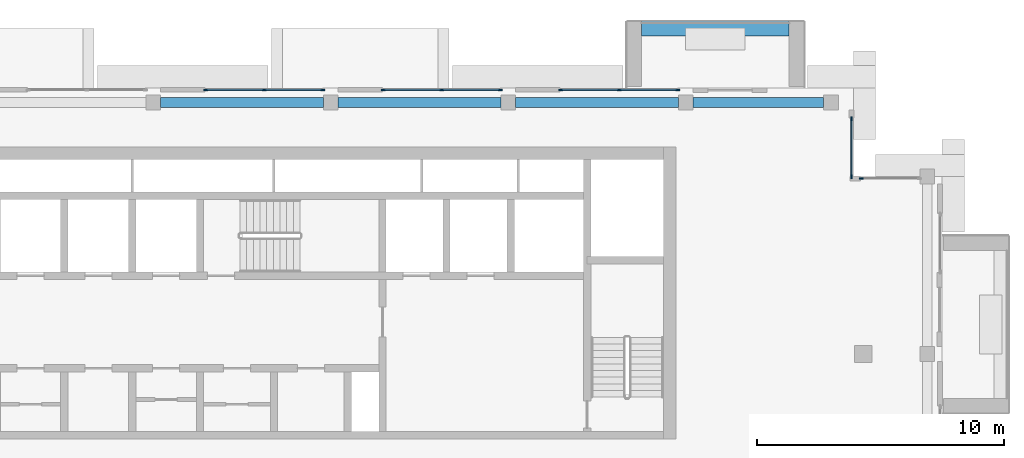
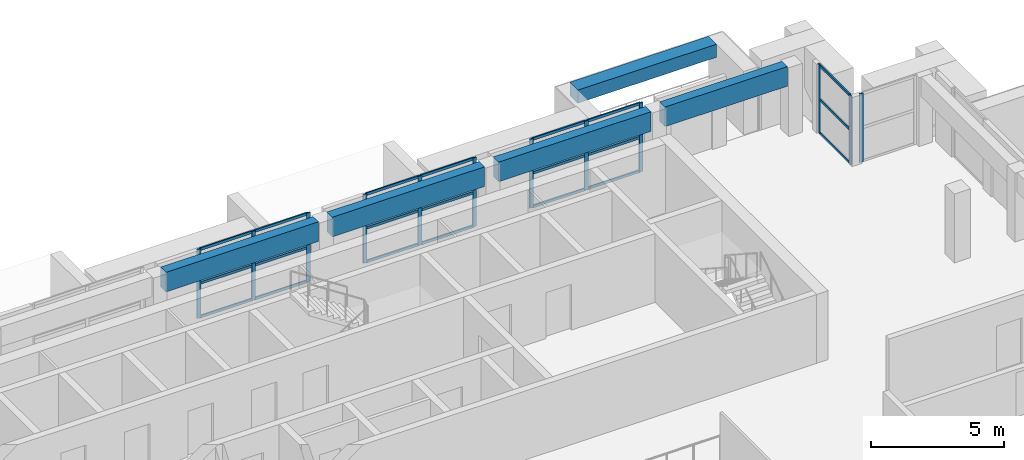
# One storey, part 7 of 22: 33 members, 5 beams, 5 elements without a shape of their own.
"""IFC4 building model written with IfcOpenShell, lengths in metres."""

from ifc_helpers import new_model, si_unit, direction, frame, origin, origin_2d, place, context, subcontext, project, spatial, rectangle, extrude, source, transform, mapped, material, layer, layer_set, material_profile, profile_set, type_object, element, aggregate, save


model = new_model("IFC4")

# Units and contexts
model_context = context("Model", 3, precision=1e-05, world=origin(), true_north=direction((0.0, 1.0)))
body_context = subcontext(model_context, "Body", "Model", "MODEL_VIEW")
ifc_project = project(units=[si_unit("LENGTHUNIT", "METRE"), si_unit("AREAUNIT", "SQUARE_METRE"), si_unit("VOLUMEUNIT", "CUBIC_METRE"), si_unit("PLANEANGLEUNIT", "RADIAN"), si_unit("MASSUNIT", "GRAM", prefix="KILO")], contexts=[model_context])

# Site, building, storey
site_placement = place(None, origin())
site = spatial("IfcSite", under=ifc_project, at=site_placement, CompositionType="ELEMENT")
building_placement = place(site_placement, origin())
building = spatial("IfcBuilding", under=site, at=building_placement, Name="Saffron Iwan Residences", CompositionType="ELEMENT")
storey_placement = place(building_placement, frame((0.0, 0.0, 271.0)))
storey = spatial("IfcBuildingStorey", under=building, at=storey_placement, Name="L73", CompositionType="ELEMENT", Elevation=271.0)

# Beams
ifc_material_1 = material(Name="Concrete C40/50", Category="concrete")
ifc_material_profile_1 = material_profile(ifc_material_1, rectangle(XDim=0.39990234375, YDim=0.89990234375, at=origin_2d()), Name="RC 400x900")
ifc_profile_set_1 = profile_set([ifc_material_profile_1], Name="Concrete C40/50")
beam_type_1 = type_object("IfcBeamType", Name="SPANDREL BEAM RC 400x900 C40/50 TOP 3150", PredefinedType="SPANDREL", material=ifc_profile_set_1)
shared_shape_1 = source(origin(), body_context, "Body", "SweptSolid", [
    extrude(rectangle(XDim=0.39990234375, YDim=0.89990234375, at=origin_2d()), origin(), (0.0, 0.0, 1.0), 6.599853515625),
])
beam_1_placement = place(storey_placement, frame((65.10009765625, 79.800048828125, 2.699951171875), z_axis=(1.0, 0.0, 0.0), x_axis=(0.0, 1.0, 0.0)))
element("IfcBeam", 1, at=beam_1_placement, inside=storey, type_object=beam_type_1, Name="Spandrel beam", PredefinedType="SPANDREL", context=body_context, shape_type="MappedRepresentation", body=[
    mapped(shared_shape_1, transform((0.0, 0.0, 0.0))),
])
shared_shape_2 = source(origin(), body_context, "Body", "SweptSolid", [
    extrude(rectangle(XDim=0.39990234375, YDim=0.89990234375, at=origin_2d()), origin(), (0.0, 0.0, 1.0), 6.60009765625),
])
for number, where, z_axis, x_axis, name in (
    (2, (50.699951171875, 79.800048828125, 2.699951171875), (1.0, 0.0, 0.0), (0.0, 1.0, 0.0), "Spandrel beam"),
    (3, (57.89990234375, 79.800048828125, 2.699951171875), (1.0, 0.0, 0.0), (0.0, 1.0, 0.0), "Spandrel beam"),
):
    element("IfcBeam", number, at=place(storey_placement, frame(where, z_axis=z_axis, x_axis=x_axis)), inside=storey, type_object=beam_type_1, Name=name, PredefinedType="SPANDREL", context=body_context, shape_type="MappedRepresentation", body=[
        mapped(shared_shape_2, transform((0.0, 0.0, 0.0))),
    ])
shared_shape_3 = source(origin(), body_context, "Body", "SweptSolid", [
    extrude(rectangle(XDim=0.39990234375, YDim=0.89990234375, at=origin_2d()), origin(), (0.0, 0.0, 1.0), 5.300048828125),
])
beam_2_placement = place(storey_placement, frame((72.300048828125, 79.800048828125, 2.699951171875), z_axis=(1.0, 0.0, 0.0), x_axis=(0.0, 1.0, 0.0)))
element("IfcBeam", 4, at=beam_2_placement, inside=storey, type_object=beam_type_1, Name="Spandrel beam", PredefinedType="SPANDREL", context=body_context, shape_type="MappedRepresentation", body=[
    mapped(shared_shape_3, transform((0.0, 0.0, 0.0))),
])
ifc_material_2 = material(Name="Concrete C50/60 white painted", Category="concrete")
ifc_material_profile_2 = material_profile(ifc_material_2, rectangle(XDim=0.60009765625, YDim=0.60009765625, at=origin_2d()), Name="BALCONY FASCIA BEAM 600 x 600")
ifc_profile_set_2 = profile_set([ifc_material_profile_2], Name="Concrete C50/60 white painted")
beam_type_2 = type_object("IfcBeamType", Name="BALCONY FASCIA BEAM 600 x 600", PredefinedType="BEAM", material=ifc_profile_set_2)
shared_shape_4 = source(origin(), body_context, "Body", "SweptSolid", [
    extrude(rectangle(XDim=0.60009765625, YDim=0.60009765625, at=origin_2d()), origin(), (0.0, 0.0, 1.0), 6.0),
])
beam_3_placement = place(storey_placement, frame((76.199951171875, 82.800048828125, 2.60107421875), z_axis=(-1.0, 0.0, 0.0), x_axis=(0.0, -1.0, 0.0)))
element("IfcBeam", 5, at=beam_3_placement, inside=storey, type_object=beam_type_2, Name="Balcony fascia beam L73 F5-0", PredefinedType="BEAM", context=body_context, shape_type="MappedRepresentation", body=[
    mapped(shared_shape_4, transform((0.0, 0.0, 0.0))),
])

# Curtain wall, member
ifc_material_3 = material(Name="Clear glass, laminated double glazed", Category="glass")
ifc_layer = layer(ifc_material_3, 0.14990234375)
ifc_layer_set = layer_set([ifc_layer], Name="Clear glass, laminated double glazed")
curtain_wall_type = type_object("IfcCurtainWallType", Name="CW-E SKY CLUB GLAZING", PredefinedType="NOTDEFINED", material=ifc_layer_set)
curtain_wall_1_placement = place(storey_placement, origin())
curtain_wall_1 = element("IfcCurtainWall", 6, at=curtain_wall_1_placement, inside=storey, type_object=curtain_wall_type, Name="Glazing L73 F3.0", PredefinedType="NOTDEFINED")
ifc_material_4 = material(Name="Aluminium 6063-T6", Category="aluminium")
ifc_material_profile_3 = material_profile(ifc_material_4, rectangle(XDim=0.06005859375, YDim=0.159912109375, at=origin_2d()), Name="CW-E MULLION 60 x 160")
ifc_profile_set_3 = profile_set([ifc_material_profile_3], Name="Aluminium 6063-T6")
member_type_1 = type_object("IfcMemberType", Name="CW-E MULLION 60 x 160", PredefinedType="MULLION", material=ifc_profile_set_3)
shared_shape_5 = source(origin(), body_context, "Body", "SweptSolid", [
    extrude(rectangle(XDim=0.06005859375, YDim=0.159912109375, at=origin_2d()), origin(), (0.0, 0.0, 1.0), 3.14990234375),
])
member_1_placement = place(storey_placement, frame((79.1298828125, 76.719970703125, 0.0), z_axis=(0.0, 0.0, 1.0), x_axis=(0.0, -1.0, 0.0)))
member_1 = element("IfcMember", 7, at=member_1_placement, type_object=member_type_1, Name="CW-E mullion 2", PredefinedType="MULLION", context=body_context, shape_type="MappedRepresentation", body=[
    mapped(shared_shape_5, transform((0.0, 0.0, 0.0))),
])
aggregate(curtain_wall_1, [member_1])

# Curtain wall, members
curtain_wall_2_placement = place(storey_placement, origin())
curtain_wall_2 = element("IfcCurtainWall", 8, at=curtain_wall_2_placement, inside=storey, type_object=curtain_wall_type, Name="Glazing L73 F4.0", PredefinedType="NOTDEFINED")
member_2_placement = place(storey_placement, frame((78.719970703125, 76.800048828125, 0.0), z_axis=(0.0, 0.0, 1.0), x_axis=(-1.0, 0.0, 0.0)))
member_2 = element("IfcMember", 9, at=member_2_placement, type_object=member_type_1, Name="CW-E mullion 1", PredefinedType="MULLION", context=body_context, shape_type="MappedRepresentation", body=[
    mapped(shared_shape_5, transform((0.0, 0.0, 0.0))),
])
member_3_placement = place(storey_placement, frame((78.719970703125, 79.139892578125, 0.0), z_axis=(0.0, 0.0, 1.0), x_axis=(-1.0, 0.0, 0.0)))
member_3 = element("IfcMember", 10, at=member_3_placement, type_object=member_type_1, Name="CW-E mullion 2", PredefinedType="MULLION", context=body_context, shape_type="MappedRepresentation", body=[
    mapped(shared_shape_5, transform((0.0, 0.0, 0.0))),
])

curtain_wall_3_placement = place(storey_placement, origin())
curtain_wall_3 = element("IfcCurtainWall", 11, at=curtain_wall_3_placement, inside=storey, type_object=curtain_wall_type, Name="Glazing L73 F5.1", PredefinedType="NOTDEFINED")
member_4_placement = place(storey_placement, frame((71.669921875, 80.320068359375, 0.0), z_axis=(0.0, 0.0, 1.0), x_axis=(0.0, -1.0, 0.0)))
member_4 = element("IfcMember", 12, at=member_4_placement, type_object=member_type_1, Name="CW-E mullion 1", PredefinedType="MULLION", context=body_context, shape_type="MappedRepresentation", body=[
    mapped(shared_shape_5, transform((0.0, 0.0, 0.0))),
])
member_5_placement = place(storey_placement, frame((69.300048828125, 80.320068359375, 0.0), z_axis=(0.0, 0.0, 1.0), x_axis=(0.0, -1.0, 0.0)))
member_5 = element("IfcMember", 13, at=member_5_placement, type_object=member_type_1, Name="CW-E mullion 2", PredefinedType="MULLION", context=body_context, shape_type="MappedRepresentation", body=[
    mapped(shared_shape_5, transform((0.0, 0.0, 0.0))),
])
member_6_placement = place(storey_placement, frame((66.929931640625, 80.320068359375, 0.0), z_axis=(0.0, 0.0, 1.0), x_axis=(0.0, -1.0, 0.0)))
member_6 = element("IfcMember", 14, at=member_6_placement, type_object=member_type_1, Name="CW-E mullion 3", PredefinedType="MULLION", context=body_context, shape_type="MappedRepresentation", body=[
    mapped(shared_shape_5, transform((0.0, 0.0, 0.0))),
])

curtain_wall_4_placement = place(storey_placement, origin())
curtain_wall_4 = element("IfcCurtainWall", 15, at=curtain_wall_4_placement, inside=storey, type_object=curtain_wall_type, Name="Glazing L73 F5.2", PredefinedType="NOTDEFINED")
member_7_placement = place(storey_placement, frame((64.469970703125, 80.320068359375, 0.0), z_axis=(0.0, 0.0, 1.0), x_axis=(0.0, -1.0, 0.0)))
member_7 = element("IfcMember", 16, at=member_7_placement, type_object=member_type_1, Name="CW-E mullion 1", PredefinedType="MULLION", context=body_context, shape_type="MappedRepresentation", body=[
    mapped(shared_shape_5, transform((0.0, 0.0, 0.0))),
])
member_8_placement = place(storey_placement, frame((62.10009765625, 80.320068359375, 0.0), z_axis=(0.0, 0.0, 1.0), x_axis=(0.0, -1.0, 0.0)))
member_8 = element("IfcMember", 17, at=member_8_placement, type_object=member_type_1, Name="CW-E mullion 2", PredefinedType="MULLION", context=body_context, shape_type="MappedRepresentation", body=[
    mapped(shared_shape_5, transform((0.0, 0.0, 0.0))),
])
member_9_placement = place(storey_placement, frame((59.72998046875, 80.320068359375, 0.0), z_axis=(0.0, 0.0, 1.0), x_axis=(0.0, -1.0, 0.0)))
member_9 = element("IfcMember", 18, at=member_9_placement, type_object=member_type_1, Name="CW-E mullion 3", PredefinedType="MULLION", context=body_context, shape_type="MappedRepresentation", body=[
    mapped(shared_shape_5, transform((0.0, 0.0, 0.0))),
])

curtain_wall_5_placement = place(storey_placement, origin())
curtain_wall_5 = element("IfcCurtainWall", 19, at=curtain_wall_5_placement, inside=storey, type_object=curtain_wall_type, Name="Glazing L73 F5.3", PredefinedType="NOTDEFINED")
member_10_placement = place(storey_placement, frame((57.27001953125, 80.320068359375, 0.0), z_axis=(0.0, 0.0, 1.0), x_axis=(0.0, -1.0, 0.0)))
member_10 = element("IfcMember", 20, at=member_10_placement, type_object=member_type_1, Name="CW-E mullion 1", PredefinedType="MULLION", context=body_context, shape_type="MappedRepresentation", body=[
    mapped(shared_shape_5, transform((0.0, 0.0, 0.0))),
])
member_11_placement = place(storey_placement, frame((54.89990234375, 80.320068359375, 0.0), z_axis=(0.0, 0.0, 1.0), x_axis=(0.0, -1.0, 0.0)))
member_11 = element("IfcMember", 21, at=member_11_placement, type_object=member_type_1, Name="CW-E mullion 2", PredefinedType="MULLION", context=body_context, shape_type="MappedRepresentation", body=[
    mapped(shared_shape_5, transform((0.0, 0.0, 0.0))),
])
member_12_placement = place(storey_placement, frame((52.530029296875, 80.320068359375, 0.0), z_axis=(0.0, 0.0, 1.0), x_axis=(0.0, -1.0, 0.0)))
member_12 = element("IfcMember", 22, at=member_12_placement, type_object=member_type_1, Name="CW-E mullion 3", PredefinedType="MULLION", context=body_context, shape_type="MappedRepresentation", body=[
    mapped(shared_shape_5, transform((0.0, 0.0, 0.0))),
])

# Member
ifc_material_profile_4 = material_profile(ifc_material_4, rectangle(XDim=0.06005859375, YDim=0.1201171875, at=origin_2d()), Name="CW-E TRANSOM 60 x 120")
ifc_profile_set_4 = profile_set([ifc_material_profile_4], Name="Aluminium 6063-T6")
member_type_2 = type_object("IfcMemberType", Name="CW-E TRANSOM 60 x 120", PredefinedType="USERDEFINED", material=ifc_profile_set_4)
shared_shape_6 = source(origin(), body_context, "Body", "SweptSolid", [
    extrude(rectangle(XDim=0.06005859375, YDim=0.1201171875, at=origin_2d()), origin(), (0.0, 0.0, 1.0), 2.280029296875),
])
member_13_placement = place(storey_placement, frame((78.719970703125, 76.830078125, 0.030029296875), z_axis=(0.0, 1.0, 0.0), x_axis=(-1.0, 0.0, 0.0)))
member_13 = element("IfcMember", 23, at=member_13_placement, type_object=member_type_2, Name="CW-E transom 1.1", ObjectType="TRANSOM", PredefinedType="USERDEFINED", context=body_context, shape_type="MappedRepresentation", body=[
    mapped(shared_shape_6, transform((0.0, 0.0, 0.0))),
])

member_14_placement = place(storey_placement, frame((78.719970703125, 76.830078125, 1.574951171875), z_axis=(0.0, 1.0, 0.0), x_axis=(-1.0, 0.0, 0.0)))
member_14 = element("IfcMember", 24, at=member_14_placement, type_object=member_type_2, Name="CW-E transom 1.2", ObjectType="TRANSOM", PredefinedType="USERDEFINED", context=body_context, shape_type="MappedRepresentation", body=[
    mapped(shared_shape_6, transform((0.0, 0.0, 0.0))),
])

member_15_placement = place(storey_placement, frame((78.719970703125, 76.830078125, 3.1201171875), z_axis=(0.0, 1.0, 0.0), x_axis=(-1.0, 0.0, 0.0)))
member_15 = element("IfcMember", 25, at=member_15_placement, type_object=member_type_2, Name="CW-E transom 1.3", ObjectType="TRANSOM", PredefinedType="USERDEFINED", context=body_context, shape_type="MappedRepresentation", body=[
    mapped(shared_shape_6, transform((0.0, 0.0, 0.0))),
])

aggregate(curtain_wall_2, [member_2, member_3, member_13, member_14, member_15])

shared_shape_7 = source(origin(), body_context, "Body", "SweptSolid", [
    extrude(rectangle(XDim=0.06005859375, YDim=0.1201171875, at=origin_2d()), origin(), (0.0, 0.0, 1.0), 2.31005859375),
])
member_16_placement = place(storey_placement, frame((69.27001953125, 80.320068359375, 0.030029296875), z_axis=(-1.0, 0.0, 0.0), x_axis=(0.0, -1.0, 0.0)))
member_16 = element("IfcMember", 26, at=member_16_placement, type_object=member_type_2, Name="CW-E transom 2.1", ObjectType="TRANSOM", PredefinedType="USERDEFINED", context=body_context, shape_type="MappedRepresentation", body=[
    mapped(shared_shape_7, transform((0.0, 0.0, 0.0))),
])

member_17_placement = place(storey_placement, frame((69.27001953125, 80.320068359375, 1.574951171875), z_axis=(-1.0, 0.0, 0.0), x_axis=(0.0, -1.0, 0.0)))
member_17 = element("IfcMember", 27, at=member_17_placement, type_object=member_type_2, Name="CW-E transom 2.2", ObjectType="TRANSOM", PredefinedType="USERDEFINED", context=body_context, shape_type="MappedRepresentation", body=[
    mapped(shared_shape_7, transform((0.0, 0.0, 0.0))),
])

member_18_placement = place(storey_placement, frame((69.27001953125, 80.320068359375, 3.1201171875), z_axis=(-1.0, 0.0, 0.0), x_axis=(0.0, -1.0, 0.0)))
member_18 = element("IfcMember", 28, at=member_18_placement, type_object=member_type_2, Name="CW-E transom 2.3", ObjectType="TRANSOM", PredefinedType="USERDEFINED", context=body_context, shape_type="MappedRepresentation", body=[
    mapped(shared_shape_7, transform((0.0, 0.0, 0.0))),
])

member_19_placement = place(storey_placement, frame((64.43994140625, 80.320068359375, 0.030029296875), z_axis=(-1.0, 0.0, 0.0), x_axis=(0.0, -1.0, 0.0)))
member_19 = element("IfcMember", 29, at=member_19_placement, type_object=member_type_2, Name="CW-E transom 1.1", ObjectType="TRANSOM", PredefinedType="USERDEFINED", context=body_context, shape_type="MappedRepresentation", body=[
    mapped(shared_shape_7, transform((0.0, 0.0, 0.0))),
])

member_20_placement = place(storey_placement, frame((64.43994140625, 80.320068359375, 1.574951171875), z_axis=(-1.0, 0.0, 0.0), x_axis=(0.0, -1.0, 0.0)))
member_20 = element("IfcMember", 30, at=member_20_placement, type_object=member_type_2, Name="CW-E transom 1.2", ObjectType="TRANSOM", PredefinedType="USERDEFINED", context=body_context, shape_type="MappedRepresentation", body=[
    mapped(shared_shape_7, transform((0.0, 0.0, 0.0))),
])

member_21_placement = place(storey_placement, frame((64.43994140625, 80.320068359375, 3.1201171875), z_axis=(-1.0, 0.0, 0.0), x_axis=(0.0, -1.0, 0.0)))
member_21 = element("IfcMember", 31, at=member_21_placement, type_object=member_type_2, Name="CW-E transom 1.3", ObjectType="TRANSOM", PredefinedType="USERDEFINED", context=body_context, shape_type="MappedRepresentation", body=[
    mapped(shared_shape_7, transform((0.0, 0.0, 0.0))),
])

member_22_placement = place(storey_placement, frame((62.070068359375, 80.320068359375, 0.030029296875), z_axis=(-1.0, 0.0, 0.0), x_axis=(0.0, -1.0, 0.0)))
member_22 = element("IfcMember", 32, at=member_22_placement, type_object=member_type_2, Name="CW-E transom 2.1", ObjectType="TRANSOM", PredefinedType="USERDEFINED", context=body_context, shape_type="MappedRepresentation", body=[
    mapped(shared_shape_7, transform((0.0, 0.0, 0.0))),
])

member_23_placement = place(storey_placement, frame((62.070068359375, 80.320068359375, 1.574951171875), z_axis=(-1.0, 0.0, 0.0), x_axis=(0.0, -1.0, 0.0)))
member_23 = element("IfcMember", 33, at=member_23_placement, type_object=member_type_2, Name="CW-E transom 2.2", ObjectType="TRANSOM", PredefinedType="USERDEFINED", context=body_context, shape_type="MappedRepresentation", body=[
    mapped(shared_shape_7, transform((0.0, 0.0, 0.0))),
])

member_24_placement = place(storey_placement, frame((62.070068359375, 80.320068359375, 3.1201171875), z_axis=(-1.0, 0.0, 0.0), x_axis=(0.0, -1.0, 0.0)))
member_24 = element("IfcMember", 34, at=member_24_placement, type_object=member_type_2, Name="CW-E transom 2.3", ObjectType="TRANSOM", PredefinedType="USERDEFINED", context=body_context, shape_type="MappedRepresentation", body=[
    mapped(shared_shape_7, transform((0.0, 0.0, 0.0))),
])

aggregate(curtain_wall_4, [member_7, member_8, member_9, member_19, member_20, member_21, member_22, member_23, member_24])

member_25_placement = place(storey_placement, frame((57.239990234375, 80.320068359375, 0.030029296875), z_axis=(-1.0, 0.0, 0.0), x_axis=(0.0, -1.0, 0.0)))
member_25 = element("IfcMember", 35, at=member_25_placement, type_object=member_type_2, Name="CW-E transom 1.1", ObjectType="TRANSOM", PredefinedType="USERDEFINED", context=body_context, shape_type="MappedRepresentation", body=[
    mapped(shared_shape_7, transform((0.0, 0.0, 0.0))),
])

member_26_placement = place(storey_placement, frame((57.239990234375, 80.320068359375, 1.574951171875), z_axis=(-1.0, 0.0, 0.0), x_axis=(0.0, -1.0, 0.0)))
member_26 = element("IfcMember", 36, at=member_26_placement, type_object=member_type_2, Name="CW-E transom 1.2", ObjectType="TRANSOM", PredefinedType="USERDEFINED", context=body_context, shape_type="MappedRepresentation", body=[
    mapped(shared_shape_7, transform((0.0, 0.0, 0.0))),
])

member_27_placement = place(storey_placement, frame((57.239990234375, 80.320068359375, 3.1201171875), z_axis=(-1.0, 0.0, 0.0), x_axis=(0.0, -1.0, 0.0)))
member_27 = element("IfcMember", 37, at=member_27_placement, type_object=member_type_2, Name="CW-E transom 1.3", ObjectType="TRANSOM", PredefinedType="USERDEFINED", context=body_context, shape_type="MappedRepresentation", body=[
    mapped(shared_shape_7, transform((0.0, 0.0, 0.0))),
])

member_28_placement = place(storey_placement, frame((54.8701171875, 80.320068359375, 0.030029296875), z_axis=(-1.0, 0.0, 0.0), x_axis=(0.0, -1.0, 0.0)))
member_28 = element("IfcMember", 38, at=member_28_placement, type_object=member_type_2, Name="CW-E transom 2.1", ObjectType="TRANSOM", PredefinedType="USERDEFINED", context=body_context, shape_type="MappedRepresentation", body=[
    mapped(shared_shape_7, transform((0.0, 0.0, 0.0))),
])

member_29_placement = place(storey_placement, frame((54.8701171875, 80.320068359375, 1.574951171875), z_axis=(-1.0, 0.0, 0.0), x_axis=(0.0, -1.0, 0.0)))
member_29 = element("IfcMember", 39, at=member_29_placement, type_object=member_type_2, Name="CW-E transom 2.2", ObjectType="TRANSOM", PredefinedType="USERDEFINED", context=body_context, shape_type="MappedRepresentation", body=[
    mapped(shared_shape_7, transform((0.0, 0.0, 0.0))),
])

member_30_placement = place(storey_placement, frame((54.8701171875, 80.320068359375, 3.1201171875), z_axis=(-1.0, 0.0, 0.0), x_axis=(0.0, -1.0, 0.0)))
member_30 = element("IfcMember", 40, at=member_30_placement, type_object=member_type_2, Name="CW-E transom 2.3", ObjectType="TRANSOM", PredefinedType="USERDEFINED", context=body_context, shape_type="MappedRepresentation", body=[
    mapped(shared_shape_7, transform((0.0, 0.0, 0.0))),
])

aggregate(curtain_wall_5, [member_10, member_11, member_12, member_25, member_26, member_27, member_28, member_29, member_30])

shared_shape_8 = source(origin(), body_context, "Body", "SweptSolid", [
    extrude(rectangle(XDim=0.06005859375, YDim=0.1201171875, at=origin_2d()), origin(), (0.0, 0.0, 1.0), 2.309814453125),
])
member_31_placement = place(storey_placement, frame((71.639892578125, 80.320068359375, 0.030029296875), z_axis=(-1.0, 0.0, 0.0), x_axis=(0.0, -1.0, 0.0)))
member_31 = element("IfcMember", 41, at=member_31_placement, type_object=member_type_2, Name="CW-E transom 1.1", ObjectType="TRANSOM", PredefinedType="USERDEFINED", context=body_context, shape_type="MappedRepresentation", body=[
    mapped(shared_shape_8, transform((0.0, 0.0, 0.0))),
])

member_32_placement = place(storey_placement, frame((71.639892578125, 80.320068359375, 1.574951171875), z_axis=(-1.0, 0.0, 0.0), x_axis=(0.0, -1.0, 0.0)))
member_32 = element("IfcMember", 42, at=member_32_placement, type_object=member_type_2, Name="CW-E transom 1.2", ObjectType="TRANSOM", PredefinedType="USERDEFINED", context=body_context, shape_type="MappedRepresentation", body=[
    mapped(shared_shape_8, transform((0.0, 0.0, 0.0))),
])

member_33_placement = place(storey_placement, frame((71.639892578125, 80.320068359375, 3.1201171875), z_axis=(-1.0, 0.0, 0.0), x_axis=(0.0, -1.0, 0.0)))
member_33 = element("IfcMember", 43, at=member_33_placement, type_object=member_type_2, Name="CW-E transom 1.3", ObjectType="TRANSOM", PredefinedType="USERDEFINED", context=body_context, shape_type="MappedRepresentation", body=[
    mapped(shared_shape_8, transform((0.0, 0.0, 0.0))),
])

aggregate(curtain_wall_3, [member_4, member_5, member_6, member_31, member_32, member_33, member_16, member_17, member_18])

save(model, "model.ifc")
